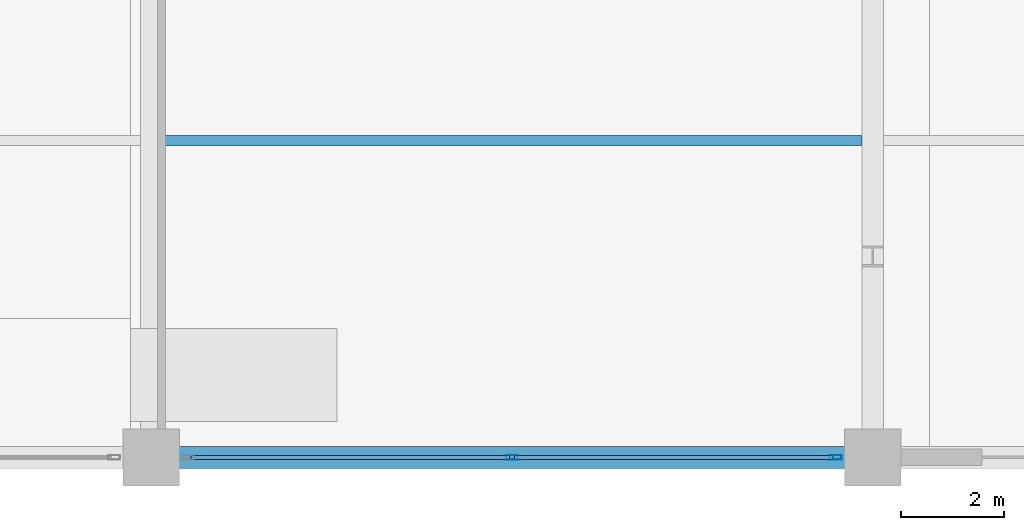
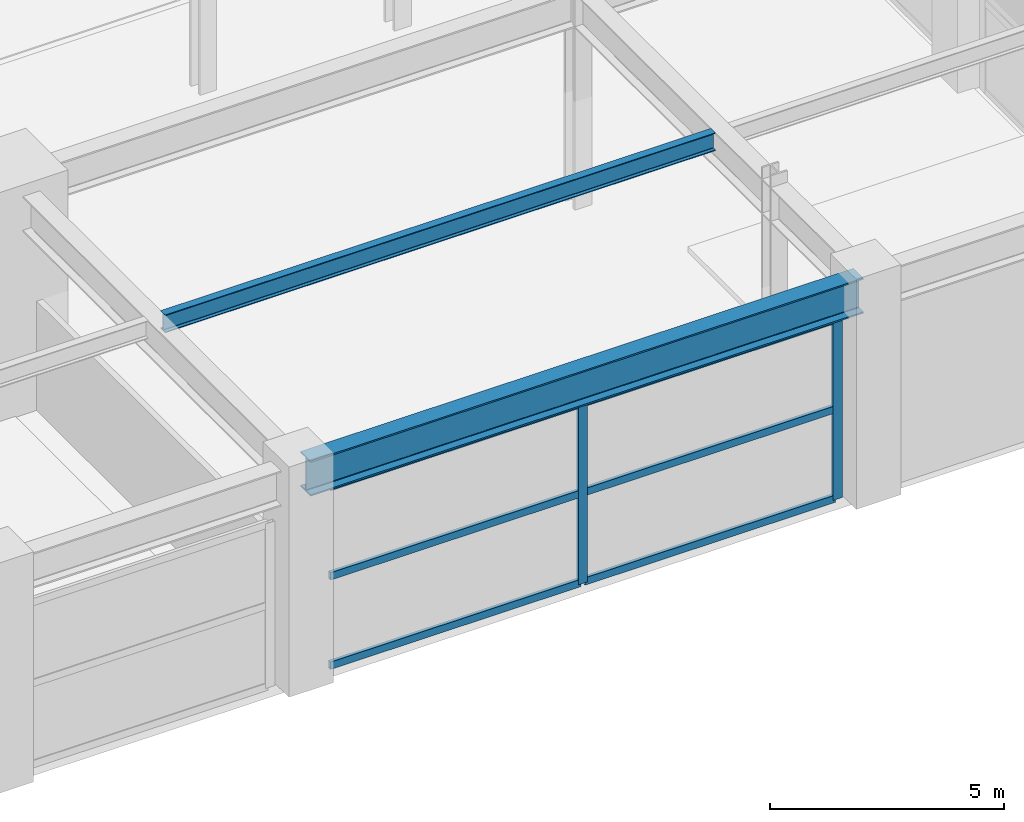
# One storey, part 20 of 41: 8 members, 2 beams, 1 element without a shape of its own.
"""IFC4 building model written with IfcOpenShell, lengths in metres."""

from ifc_helpers import new_model, si_unit, direction, frame, origin, origin_2d, place, context, subcontext, project, spatial, hollow_rectangle, i_section, extrude, material, material_profile, profile_set, type_object, element, aggregate, save


model = new_model("IFC4")

# Units and contexts
model_context = context("Model", 3, precision=1e-05, world=origin(), true_north=direction((0.0, 1.0)))
body_context = subcontext(model_context, "Body", "Model", "MODEL_VIEW")
ifc_project = project(units=[si_unit("LENGTHUNIT", "METRE"), si_unit("AREAUNIT", "SQUARE_METRE"), si_unit("VOLUMEUNIT", "CUBIC_METRE"), si_unit("PLANEANGLEUNIT", "RADIAN"), si_unit("MASSUNIT", "GRAM", prefix="KILO")], contexts=[model_context])

# Site, building, storey
site_placement = place(None, origin())
site = spatial("IfcSite", under=ifc_project, at=site_placement, CompositionType="ELEMENT")
building_placement = place(site_placement, origin())
building = spatial("IfcBuilding", under=site, at=building_placement, Name="Kovane Verandah Tower", CompositionType="ELEMENT")
storey_placement = place(building_placement, origin())
storey = spatial("IfcBuildingStorey", under=building, at=storey_placement, Name="L00", CompositionType="ELEMENT", Elevation=0.0)

# Beam
ifc_material_1 = material(Name="Steel S460", Category="steel")
ifc_material_profile_1 = material_profile(ifc_material_1, i_section(OverallWidth=0.42041015625, OverallDepth=0.9208984375, WebThickness=0.021484375, FlangeThickness=0.03662109375, FilletRadius=0.024169921875, at=origin_2d()), Name="UB914x419x388")
ifc_profile_set_1 = profile_set([ifc_material_profile_1], Name="Steel S460")
beam_type_1 = type_object("IfcBeamType", Name="BM-UB914x388", PredefinedType="BEAM", material=ifc_profile_set_1)
beam_1_placement = place(storey_placement, frame((58.580078125, -1.5, 5.239501953125), z_axis=(1.0, 0.0, 0.0), x_axis=(0.0, 1.0, 0.0)))
element("IfcBeam", 1, at=beam_1_placement, inside=storey, type_object=beam_type_1, Name="L00 Podium Grid Girder X06", PredefinedType="BEAM", context=body_context, shape_type="SweptSolid", body=[
    extrude(i_section(OverallWidth=0.42041015625, OverallDepth=0.9208984375, WebThickness=0.021484375, FlangeThickness=0.03662109375, FilletRadius=0.024169921875, at=origin_2d()), origin(), (0.0, 0.0, 1.0), 13.639892578125),
])

# Curtain wall, members
ifc_material_2 = material(Name="Champagne Anodised Aluminium Frame with Low-E Clear Laminated Glass", Category="aluminium")
curtain_wall_type = type_object("IfcCurtainWallType", Name="CW-SYS-01-POD", PredefinedType="NOTDEFINED", material=ifc_material_2)
curtain_wall_placement = place(storey_placement, origin())
curtain_wall = element("IfcCurtainWall", 2, at=curtain_wall_placement, inside=storey, type_object=curtain_wall_type, Name="Ground South Shopfront Curtain Wall Bay 6", PredefinedType="NOTDEFINED")
ifc_material_3 = material(Name="Champagne Anodised Aluminium 6063-T6", Category="aluminium")
ifc_material_profile_2 = material_profile(ifc_material_3, hollow_rectangle(XDim=0.0849609375, YDim=0.22998046875, WallThickness=0.00390625, at=origin_2d()), Name="AL85x230x4")
ifc_profile_set_2 = profile_set([ifc_material_profile_2], Name="Champagne Anodised Aluminium 6063-T6")
member_type_1 = type_object("IfcMemberType", Name="CW-MUL-85x230", PredefinedType="MULLION", material=ifc_profile_set_2)
member_1_placement = place(storey_placement, frame((65.39990234375, -1.5, 0.02001953125), z_axis=(0.0, 0.0, 1.0), x_axis=(0.0, -1.0, 0.0)))
member_1 = element("IfcMember", 3, at=member_1_placement, type_object=member_type_1, Name="Ground South Shopfront Curtain Wall Bay 6 Mullion 2", PredefinedType="MULLION", context=body_context, shape_type="SweptSolid", body=[
    extrude(hollow_rectangle(XDim=0.0849609375, YDim=0.22998046875, WallThickness=0.00390625, at=origin_2d()), origin(), (0.0, 0.0, 1.0), 4.718994140625),
])
member_2_placement = place(storey_placement, frame((71.679931640625, -1.5, 0.02001953125), z_axis=(0.0, 0.0, 1.0), x_axis=(0.0, -1.0, 0.0)))
member_2 = element("IfcMember", 4, at=member_2_placement, type_object=member_type_1, Name="Ground South Shopfront Curtain Wall Bay 6 Mullion 3", PredefinedType="MULLION", context=body_context, shape_type="SweptSolid", body=[
    extrude(hollow_rectangle(XDim=0.0849609375, YDim=0.22998046875, WallThickness=0.00390625, at=origin_2d()), origin(), (0.0, 0.0, 1.0), 4.718994140625),
])
ifc_material_profile_3 = material_profile(ifc_material_3, hollow_rectangle(XDim=0.0849609375, YDim=0.18994140625, WallThickness=0.00390625, at=origin_2d()), Name="AL85x190x4")
ifc_profile_set_3 = profile_set([ifc_material_profile_3], Name="Champagne Anodised Aluminium 6063-T6")
member_type_2 = type_object("IfcMemberType", Name="CW-TRN-85x190", PredefinedType="USERDEFINED", material=ifc_profile_set_3)
member_3_placement = place(storey_placement, frame((59.169921875, -1.5, 0.050048828125), z_axis=(1.0, 0.0, 0.0), x_axis=(0.0, 1.0, 0.0)))
member_3 = element("IfcMember", 5, at=member_3_placement, type_object=member_type_2, Name="Ground South Shopfront Curtain Wall Bay 6 Transom TB Bay 1", ObjectType="TRANSOM", PredefinedType="USERDEFINED", context=body_context, shape_type="SweptSolid", body=[
    extrude(hollow_rectangle(XDim=0.0849609375, YDim=0.18994140625, WallThickness=0.00390625, at=origin_2d()), origin(), (0.0, 0.0, 1.0), 6.18017578125),
])
member_4_placement = place(storey_placement, frame((59.169921875, -1.5, 2.37939453125), z_axis=(1.0, 0.0, 0.0), x_axis=(0.0, 1.0, 0.0)))
member_4 = element("IfcMember", 6, at=member_4_placement, type_object=member_type_2, Name="Ground South Shopfront Curtain Wall Bay 6 Transom TM Bay 1", ObjectType="TRANSOM", PredefinedType="USERDEFINED", context=body_context, shape_type="SweptSolid", body=[
    extrude(hollow_rectangle(XDim=0.0849609375, YDim=0.18994140625, WallThickness=0.00390625, at=origin_2d()), origin(), (0.0, 0.0, 1.0), 6.18017578125),
])
member_5_placement = place(storey_placement, frame((59.169921875, -1.5, 4.708984375), z_axis=(1.0, 0.0, 0.0), x_axis=(0.0, 1.0, 0.0)))
member_5 = element("IfcMember", 7, at=member_5_placement, type_object=member_type_2, Name="Ground South Shopfront Curtain Wall Bay 6 Transom TT Bay 1", ObjectType="TRANSOM", PredefinedType="USERDEFINED", context=body_context, shape_type="SweptSolid", body=[
    extrude(hollow_rectangle(XDim=0.0849609375, YDim=0.18994140625, WallThickness=0.00390625, at=origin_2d()), origin(), (0.0, 0.0, 1.0), 6.18017578125),
])
member_6_placement = place(storey_placement, frame((65.449951171875, -1.5, 0.050048828125), z_axis=(1.0, 0.0, 0.0), x_axis=(0.0, 1.0, 0.0)))
member_6 = element("IfcMember", 8, at=member_6_placement, type_object=member_type_2, Name="Ground South Shopfront Curtain Wall Bay 6 Transom TB Bay 2", ObjectType="TRANSOM", PredefinedType="USERDEFINED", context=body_context, shape_type="SweptSolid", body=[
    extrude(hollow_rectangle(XDim=0.0849609375, YDim=0.18994140625, WallThickness=0.00390625, at=origin_2d()), origin(), (0.0, 0.0, 1.0), 6.179931640625),
])
member_7_placement = place(storey_placement, frame((65.449951171875, -1.5, 2.37939453125), z_axis=(1.0, 0.0, 0.0), x_axis=(0.0, 1.0, 0.0)))
member_7 = element("IfcMember", 9, at=member_7_placement, type_object=member_type_2, Name="Ground South Shopfront Curtain Wall Bay 6 Transom TM Bay 2", ObjectType="TRANSOM", PredefinedType="USERDEFINED", context=body_context, shape_type="SweptSolid", body=[
    extrude(hollow_rectangle(XDim=0.0849609375, YDim=0.18994140625, WallThickness=0.00390625, at=origin_2d()), origin(), (0.0, 0.0, 1.0), 6.179931640625),
])
member_8_placement = place(storey_placement, frame((65.449951171875, -1.5, 4.708984375), z_axis=(1.0, 0.0, 0.0), x_axis=(0.0, 1.0, 0.0)))
member_8 = element("IfcMember", 10, at=member_8_placement, type_object=member_type_2, Name="Ground South Shopfront Curtain Wall Bay 6 Transom TT Bay 2", ObjectType="TRANSOM", PredefinedType="USERDEFINED", context=body_context, shape_type="SweptSolid", body=[
    extrude(hollow_rectangle(XDim=0.0849609375, YDim=0.18994140625, WallThickness=0.00390625, at=origin_2d()), origin(), (0.0, 0.0, 1.0), 6.179931640625),
])
aggregate(curtain_wall, [member_1, member_2, member_3, member_4, member_5, member_6, member_7, member_8])

# Beam
ifc_material_4 = material(Name="Steel S355", Category="steel")
ifc_material_profile_4 = material_profile(ifc_material_4, i_section(OverallWidth=0.19287109375, OverallDepth=0.46728515625, WebThickness=0.011474609375, FlangeThickness=0.01953125, FilletRadius=0.01025390625, at=origin_2d()), Name="UB457x191x98")
ifc_profile_set_4 = profile_set([ifc_material_profile_4], Name="Steel S355")
beam_type_2 = type_object("IfcBeamType", Name="JST-UB457x98", PredefinedType="JOIST", material=ifc_profile_set_4)
beam_2_placement = place(storey_placement, frame((58.608154296875, 4.64990234375, 5.46630859375), z_axis=(1.0, 0.0, 0.0), x_axis=(0.0, 1.0, 0.0)))
element("IfcBeam", 11, at=beam_2_placement, inside=storey, type_object=beam_type_2, Name="L00 Podium Secondary Joist 06", PredefinedType="JOIST", context=body_context, shape_type="SweptSolid", body=[
    extrude(i_section(OverallWidth=0.19287109375, OverallDepth=0.46728515625, WebThickness=0.011474609375, FlangeThickness=0.01953125, FilletRadius=0.01025390625, at=origin_2d()), origin(), (0.0, 0.0, 1.0), 13.583740234375),
])

save(model, "model.ifc")
